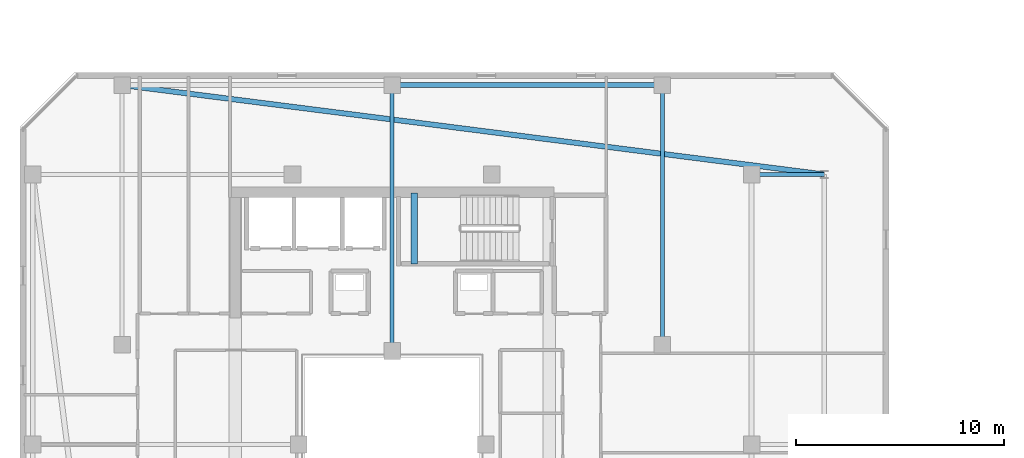
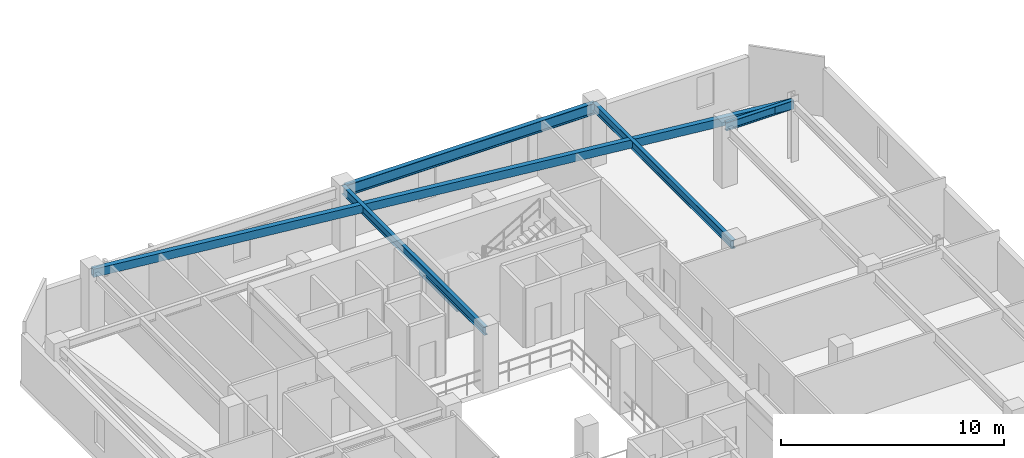
# One storey, part 11 of 35: 6 beams.
"""IFC4 building model written with IfcOpenShell, lengths in metres."""

from ifc_helpers import new_model, si_unit, direction, frame, origin, origin_2d, place, context, subcontext, project, spatial, rectangle, hollow_rectangle, i_section, extrude, material, material_profile, profile_set, type_object, element, save


model = new_model("IFC4")

# Units and contexts
model_context = context("Model", 3, precision=1e-05, world=origin(), true_north=direction((0.0, 1.0)))
body_context = subcontext(model_context, "Body", "Model", "MODEL_VIEW")
ifc_project = project(units=[si_unit("LENGTHUNIT", "METRE"), si_unit("AREAUNIT", "SQUARE_METRE"), si_unit("VOLUMEUNIT", "CUBIC_METRE"), si_unit("PLANEANGLEUNIT", "RADIAN"), si_unit("MASSUNIT", "GRAM", prefix="KILO")], contexts=[model_context])

# Site, building, storey
site_placement = place(None, origin())
site = spatial("IfcSite", under=ifc_project, at=site_placement, CompositionType="ELEMENT")
building_placement = place(site_placement, origin())
building = spatial("IfcBuilding", under=site, at=building_placement, Name="Thornwick Lancets Civic Towers", CompositionType="ELEMENT")
storey_placement = place(building_placement, frame((0.0, 0.0, 276.300048828125)))
storey = spatial("IfcBuildingStorey", under=building, at=storey_placement, Name="L74", CompositionType="ELEMENT", Elevation=276.300048828125)

# Beams
ifc_material_1 = material(Name="Steel S355JR", Category="steel")
ifc_material_profile_1 = material_profile(ifc_material_1, i_section(OverallWidth=0.230224609375, OverallDepth=0.6171875, WebThickness=0.01318359375, FlangeThickness=0.022216796875, FilletRadius=0.0126953125, at=origin_2d()), Name="UKB 610x229x140")
ifc_profile_set_1 = profile_set([ifc_material_profile_1], Name="Steel S355JR")
beam_type_1 = type_object("IfcBeamType", Name="BM_GIRD_610_140", PredefinedType="BEAM", material=ifc_profile_set_1)
beam_1_placement = place(storey_placement, frame((25.580078125, 44.300048828125, 2.971435546875), z_axis=(1.0, 0.0, 0.0), x_axis=(0.0, 1.0, 0.0)))
element("IfcBeam", 1, at=beam_1_placement, inside=storey, type_object=beam_type_1, Name="BM-SPINE-L74-A-7-8", PredefinedType="BEAM", context=body_context, shape_type="SweptSolid", body=[
    extrude(i_section(OverallWidth=0.230224609375, OverallDepth=0.6171875, WebThickness=0.01318359375, FlangeThickness=0.022216796875, FilletRadius=0.0126953125, at=origin_2d()), origin(), (0.0, 0.0, 1.0), 12.919921875),
])
ifc_material_profile_2 = material_profile(ifc_material_1, i_section(OverallWidth=0.19189453125, OverallDepth=0.46337890625, WebThickness=0.010498046875, FlangeThickness=0.017578125, FilletRadius=0.01025390625, at=origin_2d()), Name="UKB 457x191x89")
ifc_profile_set_2 = profile_set([ifc_material_profile_2], Name="Steel S355JR")
beam_type_2 = type_object("IfcBeamType", Name="BM_JOIST_457_89", PredefinedType="JOIST", material=ifc_profile_set_2)
beam_2_placement = place(storey_placement, frame((42.800048828125, 40.0, 3.04833984375), z_axis=(1.0, 0.0, 0.0), x_axis=(0.0, 1.0, 0.0)))
element("IfcBeam", 2, at=beam_2_placement, inside=storey, type_object=beam_type_2, Name="BM-RAD-L74-A06", PredefinedType="JOIST", context=body_context, shape_type="SweptSolid", body=[
    extrude(i_section(OverallWidth=0.19189453125, OverallDepth=0.46337890625, WebThickness=0.010498046875, FlangeThickness=0.017578125, FilletRadius=0.01025390625, at=origin_2d()), origin(), (0.0, 0.0, 1.0), 3.5),
])
beam_3_placement = place(storey_placement, frame((25.5, 31.5, 3.04833984375), z_axis=(0.0, 1.0, 0.0), x_axis=(-1.0, 0.0, 0.0)))
element("IfcBeam", 3, at=beam_3_placement, inside=storey, type_object=beam_type_2, Name="BM-RADIN-L74-A08", PredefinedType="JOIST", context=body_context, shape_type="SweptSolid", body=[
    extrude(i_section(OverallWidth=0.19189453125, OverallDepth=0.46337890625, WebThickness=0.010498046875, FlangeThickness=0.017578125, FilletRadius=0.01025390625, at=origin_2d()), origin(), (0.0, 0.0, 1.0), 12.800048828125),
])
beam_4_placement = place(storey_placement, frame((38.5, 31.800048828125, 3.04833984375), z_axis=(0.0, 1.0, 0.0), x_axis=(-1.0, 0.0, 0.0)))
element("IfcBeam", 4, at=beam_4_placement, inside=storey, type_object=beam_type_2, Name="BM-RADIN-L74-A09", PredefinedType="JOIST", context=body_context, shape_type="SweptSolid", body=[
    extrude(i_section(OverallWidth=0.19189453125, OverallDepth=0.46337890625, WebThickness=0.010498046875, FlangeThickness=0.017578125, FilletRadius=0.01025390625, at=origin_2d()), origin(), (0.0, 0.0, 1.0), 12.5),
])
ifc_material_profile_3 = material_profile(ifc_material_1, hollow_rectangle(XDim=0.25, YDim=0.449951171875, WallThickness=0.01611328125, at=origin_2d()), Name="RHS 450x250x16")
ifc_profile_set_3 = profile_set([ifc_material_profile_3], Name="Steel S355JR")
beam_type_3 = type_object("IfcBeamType", Name="BM_RING_RHS450", PredefinedType="BEAM", material=ifc_profile_set_3)
beam_5_placement = place(storey_placement, frame((46.300048828125, 40.0, 3.054931640625), z_axis=(-0.992004437051, 0.126202998662, 0.0), x_axis=(-0.126202998662, -0.992004437051, 0.0)))
element("IfcBeam", 5, at=beam_5_placement, inside=storey, type_object=beam_type_3, Name="BM-CHAMF-L74-A-C1", PredefinedType="BEAM", context=body_context, shape_type="SweptSolid", body=[
    extrude(hollow_rectangle(XDim=0.25, YDim=0.449951171875, WallThickness=0.01611328125, at=origin_2d()), origin(), (0.0, 0.0, 1.0), 34.072509765625),
])
ifc_material_2 = material(Name="Concrete C40/50", Category="concrete")
ifc_material_profile_4 = material_profile(ifc_material_2, rectangle(XDim=0.300048828125, YDim=0.35009765625, at=origin_2d()), Name="RC 300x350")
ifc_profile_set_4 = profile_set([ifc_material_profile_4], Name="Concrete C40/50")
beam_type_4 = type_object("IfcBeamType", Name="BM_STAIR_LDG", PredefinedType="BEAM", material=ifc_profile_set_4)
beam_6_placement = place(storey_placement, frame((26.56494140625, 39.10009765625, 1.3779296875), z_axis=(0.0, -1.0, 0.0), x_axis=(1.0, 0.0, 0.0)))
element("IfcBeam", 6, at=beam_6_placement, inside=storey, type_object=beam_type_4, Name="L74 ST-A2 Landing Support Beam 1", PredefinedType="BEAM", context=body_context, shape_type="SweptSolid", body=[
    extrude(rectangle(XDim=0.300048828125, YDim=0.35009765625, at=origin_2d()), origin(), (0.0, 0.0, 1.0), 3.400146484375),
])

save(model, "model.ifc")
